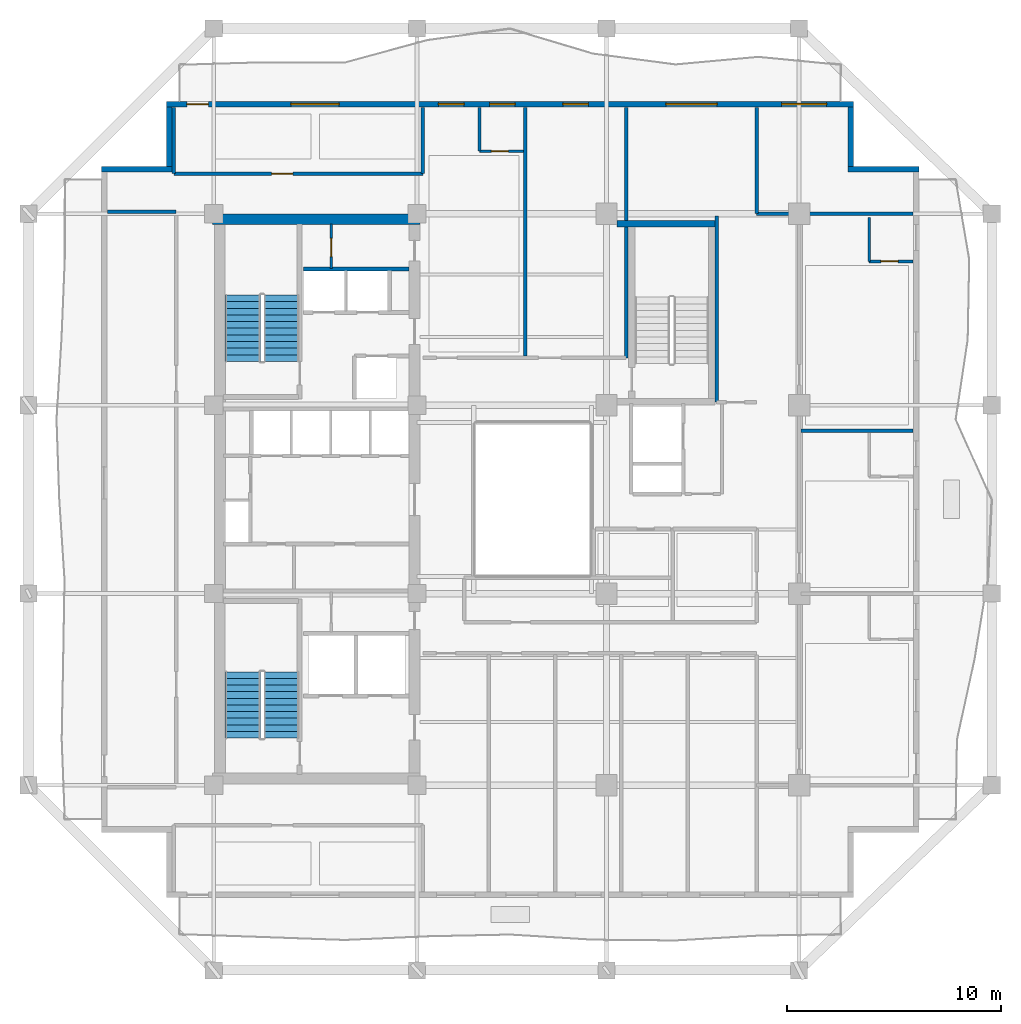
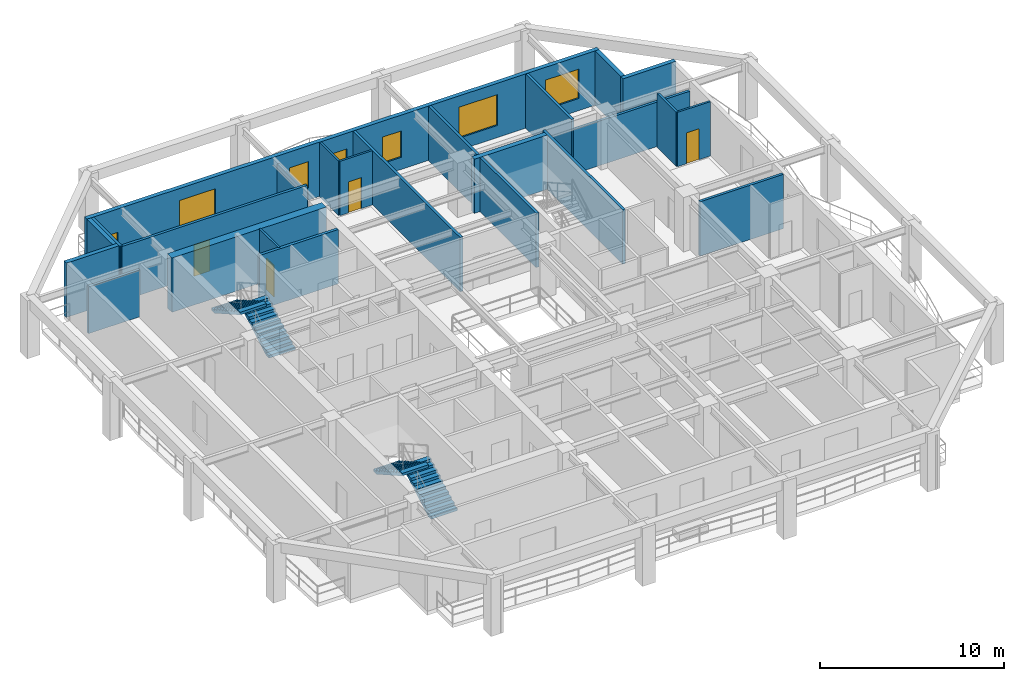
# One storey, part 6 of 11: 23 walls, 6 windows, 5 doors, 4 stair flights, 11 openings, 2 elements without a shape of their own.
"""IFC4 building model written with IfcOpenShell, lengths in metres."""

from ifc_helpers import new_model, si_unit, direction, frame, frame_2d, origin, place, context, subcontext, project, spatial, polyline, rectangle, outline, extrude, material, layer, layer_set, type_object, element, fill, aggregate, save


model = new_model("IFC4")

# Units and contexts
model_context = context("Model", 3, precision=1e-05, world=origin(), true_north=direction((0.0, 1.0)))
body_context = subcontext(model_context, "Body", "Model", "MODEL_VIEW")
ifc_project = project(units=[si_unit("LENGTHUNIT", "METRE"), si_unit("AREAUNIT", "SQUARE_METRE"), si_unit("VOLUMEUNIT", "CUBIC_METRE"), si_unit("PLANEANGLEUNIT", "RADIAN"), si_unit("MASSUNIT", "GRAM", prefix="KILO")], contexts=[model_context])

# Site, building, storey
site_placement = place(None, origin())
site = spatial("IfcSite", under=ifc_project, at=site_placement, CompositionType="ELEMENT")
building_placement = place(site_placement, origin())
building = spatial("IfcBuilding", under=site, at=building_placement, Name="Kundavana Baori Tower", CompositionType="ELEMENT")
storey_placement = place(building_placement, frame((0.0, 0.0, 146.35009765625)))
storey = spatial("IfcBuildingStorey", under=building, at=storey_placement, Name="L35", CompositionType="ELEMENT", Elevation=146.35009765625)

# Walls
ifc_material_1 = material(Name="Concrete C50/60", Category="concrete")
ifc_layer_1 = layer(ifc_material_1, 0.5, Name="WL-CORE-500")
ifc_layer_set_1 = layer_set([ifc_layer_1], Name="Concrete C50/60")
wall_type_1 = type_object("IfcWallType", Name="WL-CORE-500", PredefinedType="SHEAR", material=ifc_layer_set_1)
wall_1_placement = place(storey_placement, frame((15.39990234375, 41.68994140625, 0.0), z_axis=(0.0, 0.0, 1.0), x_axis=(1.0, 0.0, 0.0)))
element("IfcWall", 1, at=wall_1_placement, inside=storey, type_object=wall_type_1, Name="L35 Offset Core North Shear Wall", PredefinedType="SHEAR", context=body_context, shape_type="SweptSolid", body=[
    extrude(rectangle(XDim=9.68017578125, YDim=0.5, at=frame_2d((4.840087890625, 0.0))), origin(), (0.0, 0.0, 1.0), 3.599853515625),
])
ifc_material_2 = material(Name="Kiln-Fired Terracotta Brick-Slip Masonry on Concrete C40/50", Category="masonry")
ifc_layer_2 = layer(ifc_material_2, 0.260009765625, Name="WL-EXT-BRK-260")
ifc_layer_set_2 = layer_set([ifc_layer_2], Name="Kiln-Fired Terracotta Brick-Slip Masonry on Concrete C40/50")
wall_type_2 = type_object("IfcWallType", Name="WL-EXT-BRK-260", PredefinedType="SOLIDWALL", material=ifc_layer_set_2)
wall_2_placement = place(storey_placement, frame((48.39990234375, 44.02001953125, 0.0), z_axis=(0.0, 0.0, 1.0), x_axis=(-1.0, 0.0, 0.0)))
element("IfcWall", 2, at=wall_2_placement, inside=storey, type_object=wall_type_2, Name="L35 Exterior Insulated Facade Wall 05", PredefinedType="SOLIDWALL", context=body_context, shape_type="SweptSolid", body=[
    extrude(rectangle(XDim=3.309814453125, YDim=0.260009765625, at=frame_2d((1.65478515625, 0.0))), origin(), (0.0, 0.0, 1.0), 3.599853515625),
])
wall_3_placement = place(storey_placement, frame((45.219970703125, 44.14990234375, 0.0), z_axis=(0.0, 0.0, 1.0), x_axis=(0.0, 1.0, 0.0)))
element("IfcWall", 3, at=wall_3_placement, inside=storey, type_object=wall_type_2, Name="L35 Exterior Insulated Facade Wall 06", PredefinedType="SOLIDWALL", context=body_context, shape_type="SweptSolid", body=[
    extrude(rectangle(XDim=2.7900390625, YDim=0.260009765625, at=frame_2d((1.39501953125, 0.0))), origin(), (0.0, 0.0, 1.0), 3.599853515625),
])

# Wall, openings, door, windows
wall_4_placement = place(storey_placement, frame((45.35009765625, 47.070068359375, 0.0), z_axis=(0.0, 0.0, 1.0), x_axis=(-1.0, 0.0, 0.0)))
wall_4 = element("IfcWall", 4, at=wall_4_placement, inside=storey, type_object=wall_type_2, Name="L35 Exterior Insulated Facade Wall 07", PredefinedType="SOLIDWALL", context=body_context, shape_type="SweptSolid", body=[
    extrude(rectangle(XDim=32.10009765625, YDim=0.260009765625, at=frame_2d((16.050048828125, 0.0))), origin(), (0.0, 0.0, 1.0), 3.599853515625),
])
opening_1_placement = place(wall_4_placement, frame((30.14990234375, 0.0, 0.0)))
opening_1 = element("IfcOpeningElement", 5, at=opening_1_placement, cuts=wall_4, Name="Opening BD-1", PredefinedType="OPENING", context=body_context, shape_type="SweptSolid", body=[
    extrude(rectangle(XDim=1.0, YDim=2.050048828125, at=frame_2d((0.5, 1.02490234375))), frame((0.0, 0.14013671875, 0.0), z_axis=(0.0, -1.0, 0.0), x_axis=(1.0, 0.0, 0.0)), (0.0, 0.0, 1.0), 0.280029296875),
])
opening_2_placement = place(wall_4_placement, frame((24.044921875, 0.0, 0.800048828125)))
opening_2 = element("IfcOpeningElement", 6, at=opening_2_placement, cuts=wall_4, Name="Opening W-10", PredefinedType="OPENING", context=body_context, shape_type="SweptSolid", body=[
    extrude(rectangle(XDim=2.25, YDim=2.0, at=frame_2d((1.125, 1.0))), frame((0.0, 0.14013671875, 0.0), z_axis=(0.0, -1.0, 0.0), x_axis=(1.0, 0.0, 0.0)), (0.0, 0.0, 1.0), 0.280029296875),
])
opening_3_placement = place(wall_4_placement, frame((18.205078125, 0.0, 0.800048828125)))
opening_3 = element("IfcOpeningElement", 7, at=opening_3_placement, cuts=wall_4, Name="Opening W-03", PredefinedType="OPENING", context=body_context, shape_type="SweptSolid", body=[
    extrude(rectangle(XDim=1.199951171875, YDim=1.75, at=frame_2d((0.60009765625, 0.875))), frame((0.0, 0.14013671875, 0.0), z_axis=(0.0, -1.0, 0.0), x_axis=(1.0, 0.0, 0.0)), (0.0, 0.0, 1.0), 0.280029296875),
])
opening_4_placement = place(wall_4_placement, frame((15.81494140625, 0.0, 0.800048828125)))
opening_4 = element("IfcOpeningElement", 8, at=opening_4_placement, cuts=wall_4, Name="Opening W-03", PredefinedType="OPENING", context=body_context, shape_type="SweptSolid", body=[
    extrude(rectangle(XDim=1.199951171875, YDim=1.75, at=frame_2d((0.60009765625, 0.875))), frame((0.0, 0.14013671875, 0.0), z_axis=(0.0, -1.0, 0.0), x_axis=(1.0, 0.0, 0.0)), (0.0, 0.0, 1.0), 0.280029296875),
])
opening_5_placement = place(wall_4_placement, frame((12.389892578125, 0.0, 0.800048828125)))
opening_5 = element("IfcOpeningElement", 9, at=opening_5_placement, cuts=wall_4, Name="Opening W-03", PredefinedType="OPENING", context=body_context, shape_type="SweptSolid", body=[
    extrude(rectangle(XDim=1.199951171875, YDim=1.75, at=frame_2d((0.60009765625, 0.875))), frame((0.0, 0.14013671875, 0.0), z_axis=(0.0, -1.0, 0.0), x_axis=(1.0, 0.0, 0.0)), (0.0, 0.0, 1.0), 0.280029296875),
])
opening_6_placement = place(wall_4_placement, frame((6.3798828125, 0.0, 0.800048828125)))
opening_6 = element("IfcOpeningElement", 10, at=opening_6_placement, cuts=wall_4, Name="Opening W-04", PredefinedType="OPENING", context=body_context, shape_type="SweptSolid", body=[
    extrude(rectangle(XDim=2.39990234375, YDim=2.050048828125, at=frame_2d((1.199951171875, 1.02490234375))), frame((0.0, 0.14013671875, 0.0), z_axis=(0.0, -1.0, 0.0), x_axis=(1.0, 0.0, 0.0)), (0.0, 0.0, 1.0), 0.280029296875),
])
opening_7_placement = place(wall_4_placement, frame((1.27001953125, 0.0, 0.800048828125)))
opening_7 = element("IfcOpeningElement", 11, at=opening_7_placement, cuts=wall_4, Name="Opening W-05", PredefinedType="OPENING", context=body_context, shape_type="SweptSolid", body=[
    extrude(rectangle(XDim=2.10009765625, YDim=1.949951171875, at=frame_2d((1.050048828125, 0.97509765625))), frame((0.0, 0.14013671875, 0.0), z_axis=(0.0, -1.0, 0.0), x_axis=(1.0, 0.0, 0.0)), (0.0, 0.0, 1.0), 0.280029296875),
])
ifc_material_3 = material(Name="Architectural Patinated Bronze Metalwork")
door_type_1 = type_object("IfcDoorType", Name="DR-EXT-LOG-1000", OperationType="NOTDEFINED", PredefinedType="DOOR", material=ifc_material_3)
door_1_placement = place(opening_1_placement, frame((1.0, 0.0, 0.0), z_axis=(0.0, 0.0, 1.0), x_axis=(-1.0, 0.0, 0.0)))
door_1 = element("IfcDoor", 12, at=door_1_placement, inside=storey, type_object=door_type_1, Name="L35 Loggia Balcony Access Door N", OperationType="SINGLE_SWING_LEFT", OverallHeight=2.050048828125, OverallWidth=1.0, PredefinedType="DOOR", context=body_context, shape_type="SweptSolid", body=[
    extrude(rectangle(XDim=1.0, YDim=2.050048828125, at=frame_2d((0.5, 1.02490234375))), frame((0.0, 0.02490234375, 0.0), z_axis=(0.0, -1.0, 0.0), x_axis=(1.0, 0.0, 0.0)), (0.0, 0.0, 1.0), 0.050048828125),
])
fill(opening_1, door_1)
ifc_material_4 = material(Name="Double-Glazed Solar-Control Low-E Insulated Glass", Category="glass")
window_type_1 = type_object("IfcWindowType", Name="WIN-LOG-1200x1750", PartitioningType="SINGLE_PANEL", PredefinedType="WINDOW", material=ifc_material_4)
window_1_placement = place(opening_3_placement, origin())
window_1 = element("IfcWindow", 13, at=window_1_placement, inside=storey, type_object=window_type_1, Name="L35 Recessed Loggia Window N-2", OverallHeight=1.75, OverallWidth=1.199951171875, PartitioningType="SINGLE_PANEL", PredefinedType="WINDOW", context=body_context, shape_type="SweptSolid", body=[
    extrude(rectangle(XDim=1.199951171875, YDim=1.75, at=frame_2d((0.60009765625, 0.875))), frame((0.0, 0.030029296875, 0.0), z_axis=(0.0, -1.0, 0.0), x_axis=(1.0, 0.0, 0.0)), (0.0, 0.0, 1.0), 0.06005859375),
])
fill(opening_3, window_1)
window_2_placement = place(opening_4_placement, origin())
window_2 = element("IfcWindow", 14, at=window_2_placement, inside=storey, type_object=window_type_1, Name="L35 Recessed Loggia Window N-3", OverallHeight=1.75, OverallWidth=1.199951171875, PartitioningType="SINGLE_PANEL", PredefinedType="WINDOW", context=body_context, shape_type="SweptSolid", body=[
    extrude(rectangle(XDim=1.199951171875, YDim=1.75, at=frame_2d((0.60009765625, 0.875))), frame((0.0, 0.030029296875, 0.0), z_axis=(0.0, -1.0, 0.0), x_axis=(1.0, 0.0, 0.0)), (0.0, 0.0, 1.0), 0.06005859375),
])
fill(opening_4, window_2)
window_3_placement = place(opening_5_placement, origin())
window_3 = element("IfcWindow", 15, at=window_3_placement, inside=storey, type_object=window_type_1, Name="L35 Recessed Loggia Window N-4", OverallHeight=1.75, OverallWidth=1.199951171875, PartitioningType="SINGLE_PANEL", PredefinedType="WINDOW", context=body_context, shape_type="SweptSolid", body=[
    extrude(rectangle(XDim=1.199951171875, YDim=1.75, at=frame_2d((0.60009765625, 0.875))), frame((0.0, 0.030029296875, 0.0), z_axis=(0.0, -1.0, 0.0), x_axis=(1.0, 0.0, 0.0)), (0.0, 0.0, 1.0), 0.06005859375),
])
fill(opening_5, window_3)
ifc_material_5 = material(Name="Double-Glazed Solar-Control Low-E Insulated Glass", Category="glass")
window_type_2 = type_object("IfcWindowType", Name="WIN-LOG-2100x1950", PartitioningType="SINGLE_PANEL", PredefinedType="WINDOW", material=ifc_material_5)
window_4_placement = place(opening_7_placement, origin())
window_4 = element("IfcWindow", 16, at=window_4_placement, inside=storey, type_object=window_type_2, Name="L35 Recessed Loggia Window N-6", OverallHeight=1.949951171875, OverallWidth=2.10009765625, PartitioningType="SINGLE_PANEL", PredefinedType="WINDOW", context=body_context, shape_type="SweptSolid", body=[
    extrude(rectangle(XDim=2.10009765625, YDim=1.949951171875, at=frame_2d((1.050048828125, 0.97509765625))), frame((0.0, 0.030029296875, 0.0), z_axis=(0.0, -1.0, 0.0), x_axis=(1.0, 0.0, 0.0)), (0.0, 0.0, 1.0), 0.06005859375),
])
fill(opening_7, window_4)
ifc_material_6 = material(Name="Double-Glazed Solar-Control Low-E Insulated Glass", Category="glass")
window_type_3 = type_object("IfcWindowType", Name="WIN-LOG-2250x2000", PartitioningType="SINGLE_PANEL", PredefinedType="WINDOW", material=ifc_material_6)
window_5_placement = place(opening_2_placement, origin())
window_5 = element("IfcWindow", 17, at=window_5_placement, inside=storey, type_object=window_type_3, Name="L35 Recessed Loggia Window N-1", OverallHeight=2.0, OverallWidth=2.25, PartitioningType="SINGLE_PANEL", PredefinedType="WINDOW", context=body_context, shape_type="SweptSolid", body=[
    extrude(rectangle(XDim=2.25, YDim=2.0, at=frame_2d((1.125, 1.0))), frame((0.0, 0.030029296875, 0.0), z_axis=(0.0, -1.0, 0.0), x_axis=(1.0, 0.0, 0.0)), (0.0, 0.0, 1.0), 0.06005859375),
])
fill(opening_2, window_5)
ifc_material_7 = material(Name="Double-Glazed Solar-Control Low-E Insulated Glass", Category="glass")
window_type_4 = type_object("IfcWindowType", Name="WIN-LOG-2400x2050", PartitioningType="SINGLE_PANEL", PredefinedType="WINDOW", material=ifc_material_7)
window_6_placement = place(opening_6_placement, origin())
window_6 = element("IfcWindow", 18, at=window_6_placement, inside=storey, type_object=window_type_4, Name="L35 Recessed Loggia Window N-5", OverallHeight=2.050048828125, OverallWidth=2.39990234375, PartitioningType="SINGLE_PANEL", PredefinedType="WINDOW", context=body_context, shape_type="SweptSolid", body=[
    extrude(rectangle(XDim=2.39990234375, YDim=2.050048828125, at=frame_2d((1.199951171875, 1.02490234375))), frame((0.0, 0.030029296875, 0.0), z_axis=(0.0, -1.0, 0.0), x_axis=(1.0, 0.0, 0.0)), (0.0, 0.0, 1.0), 0.06005859375),
])
fill(opening_6, window_6)

# Walls
wall_5_placement = place(storey_placement, frame((13.3798828125, 46.93994140625, 0.0), z_axis=(0.0, 0.0, 1.0), x_axis=(0.0, -1.0, 0.0)))
element("IfcWall", 19, at=wall_5_placement, inside=storey, type_object=wall_type_2, Name="L35 Exterior Insulated Facade Wall 08", PredefinedType="SOLIDWALL", context=body_context, shape_type="SweptSolid", body=[
    extrude(rectangle(XDim=2.7900390625, YDim=0.260009765625, at=frame_2d((1.39501953125, 0.0))), origin(), (0.0, 0.0, 1.0), 3.599853515625),
])
wall_6_placement = place(storey_placement, frame((13.510009765625, 44.02001953125, 0.0), z_axis=(0.0, 0.0, 1.0), x_axis=(-1.0, 0.0, 0.0)))
element("IfcWall", 20, at=wall_6_placement, inside=storey, type_object=wall_type_2, Name="L35 Exterior Insulated Facade Wall 09", PredefinedType="SOLIDWALL", context=body_context, shape_type="SweptSolid", body=[
    extrude(rectangle(XDim=3.31005859375, YDim=0.260009765625, at=frame_2d((1.655029296875, 0.0))), origin(), (0.0, 0.0, 1.0), 3.599853515625),
])

# Wall, opening, door
ifc_material_8 = material(Name="Acoustic Gypsum Plasterboard on Galvanised Steel Studs", Category="steel")
ifc_layer_3 = layer(ifc_material_8, 0.1201171875, Name="WL-PART-120")
ifc_layer_set_3 = layer_set([ifc_layer_3], Name="Acoustic Gypsum Plasterboard on Galvanised Steel Studs")
wall_type_3 = type_object("IfcWallType", Name="WL-PART-120", PredefinedType="PARTITIONING", material=ifc_layer_set_3)
wall_7_placement = place(storey_placement, frame((20.949951171875, 39.39990234375, 0.0), z_axis=(0.0, 0.0, 1.0), x_axis=(0.0, 1.0, 0.0)))
wall_7 = element("IfcWall", 21, at=wall_7_placement, inside=storey, type_object=wall_type_3, Name="WL-L35-CSRV-D2", PredefinedType="PARTITIONING", context=body_context, shape_type="SweptSolid", body=[
    extrude(rectangle(XDim=2.080078125, YDim=0.1201171875, at=frame_2d((1.0400390625, 0.0))), origin(), (0.0, 0.0, 1.0), 3.599853515625),
])
opening_8_placement = place(wall_7_placement, frame((0.550048828125, 0.0, 0.0)))
opening_8 = element("IfcOpeningElement", 22, at=opening_8_placement, cuts=wall_7, Name="Opening FD-085", PredefinedType="OPENING", context=body_context, shape_type="SweptSolid", body=[
    extrude(rectangle(XDim=0.85009765625, YDim=2.06005859375, at=frame_2d((0.425048828125, 1.030029296875))), frame((0.0, 0.070068359375, 0.0), z_axis=(0.0, -1.0, 0.0), x_axis=(1.0, 0.0, 0.0)), (0.0, 0.0, 1.0), 0.14013671875),
])
ifc_material_9 = material(Name="Galvanised Steel Fire-Rated Door Leaf", Category="steel")
door_type_2 = type_object("IfcDoorType", Name="DR-FD60-850", OperationType="NOTDEFINED", PredefinedType="DOOR", material=ifc_material_9)
door_2_placement = place(opening_8_placement, origin())
door_2 = element("IfcDoor", 23, at=door_2_placement, inside=storey, type_object=door_type_2, Name="DR-L35-CSRV1", OperationType="SINGLE_SWING_RIGHT", OverallHeight=2.06005859375, OverallWidth=0.85009765625, PredefinedType="DOOR", context=body_context, shape_type="SweptSolid", body=[
    extrude(rectangle(XDim=0.85009765625, YDim=2.06005859375, at=frame_2d((0.425048828125, 1.030029296875))), frame((0.0, 0.02490234375, 0.0), z_axis=(0.0, -1.0, 0.0), x_axis=(1.0, 0.0, 0.0)), (0.0, 0.0, 1.0), 0.050048828125),
])
fill(opening_8, door_2)

# Walls
ifc_material_10 = material(Name="Fire-Rated Gypsum Drywall on Galvanised Steel Studs", Category="steel")
ifc_layer_4 = layer(ifc_material_10, 0.1650390625, Name="WL-PART-165")
ifc_layer_set_4 = layer_set([ifc_layer_4], Name="Fire-Rated Gypsum Drywall on Galvanised Steel Studs")
wall_type_4 = type_object("IfcWallType", Name="WL-PART-165", PredefinedType="PARTITIONING", material=ifc_layer_set_4)
wall_8_placement = place(storey_placement, frame((40.820068359375, 41.949951171875, 0.0), z_axis=(0.0, 0.0, 1.0), x_axis=(1.0, 0.0, 0.0)))
element("IfcWall", 24, at=wall_8_placement, inside=storey, type_object=wall_type_4, Name="WL-L35-HEN", PredefinedType="PARTITIONING", context=body_context, shape_type="SweptSolid", body=[
    extrude(rectangle(XDim=7.300048828125, YDim=0.1650390625, at=frame_2d((3.64990234375, 0.0))), origin(), (0.0, 0.0, 1.0), 2.949951171875),
])
wall_9_placement = place(storey_placement, frame((10.47998046875, 42.0400390625, 0.0), z_axis=(0.0, 0.0, 1.0), x_axis=(1.0, 0.0, 0.0)))
element("IfcWall", 25, at=wall_9_placement, inside=storey, type_object=wall_type_4, Name="WL-L35-HWN", PredefinedType="PARTITIONING", context=body_context, shape_type="SweptSolid", body=[
    extrude(rectangle(XDim=3.219970703125, YDim=0.1650390625, at=frame_2d((1.60986328125, 0.0))), origin(), (0.0, 0.0, 1.0), 3.099853515625),
])

# Wall, opening, door
wall_10_placement = place(storey_placement, frame((13.590087890625, 43.820068359375, 0.0), z_axis=(0.0, 0.0, 1.0), x_axis=(1.0, 0.0, 0.0)))
wall_10 = element("IfcWall", 26, at=wall_10_placement, inside=storey, type_object=wall_type_4, Name="WL-L35-HNC", PredefinedType="PARTITIONING", context=body_context, shape_type="SweptSolid", body=[
    extrude(rectangle(XDim=11.6298828125, YDim=0.1650390625, at=frame_2d((5.81494140625, 0.0))), origin(), (0.0, 0.0, 1.0), 3.599853515625),
])
opening_9_placement = place(wall_10_placement, frame((4.56005859375, 0.0, 0.0)))
opening_9 = element("IfcOpeningElement", 27, at=opening_9_placement, cuts=wall_10, Name="Opening ID-100", PredefinedType="OPENING", context=body_context, shape_type="SweptSolid", body=[
    extrude(rectangle(XDim=1.0, YDim=2.080078125, at=frame_2d((0.5, 1.0400390625))), frame((0.0, 0.092529296875, 0.0), z_axis=(0.0, -1.0, 0.0), x_axis=(1.0, 0.0, 0.0)), (0.0, 0.0, 1.0), 0.18505859375),
])
ifc_material_11 = material(Name="Engineered Teak Solid-Core Timber Veneer", Category="wood")
door_type_3 = type_object("IfcDoorType", Name="DR-INT-1000", OperationType="NOTDEFINED", PredefinedType="DOOR", material=ifc_material_11)
door_3_placement = place(opening_9_placement, origin())
door_3 = element("IfcDoor", 28, at=door_3_placement, inside=storey, type_object=door_type_3, Name="DR-L35-HMNW", OperationType="SINGLE_SWING_RIGHT", OverallHeight=2.080078125, OverallWidth=1.0, PredefinedType="DOOR", context=body_context, shape_type="SweptSolid", body=[
    extrude(rectangle(XDim=1.0, YDim=2.080078125, at=frame_2d((0.5, 1.0400390625))), frame((0.0, 0.02490234375, 0.0), z_axis=(0.0, -1.0, 0.0), x_axis=(1.0, 0.0, 0.0)), (0.0, 0.0, 1.0), 0.050048828125),
])
fill(opening_9, door_3)

# Walls
wall_11_placement = place(storey_placement, frame((13.590087890625, 43.820068359375, 0.0), z_axis=(0.0, 0.0, 1.0), x_axis=(0.0, 1.0, 0.0)))
element("IfcWall", 29, at=wall_11_placement, inside=storey, type_object=wall_type_4, Name="WL-L35-HNCW", PredefinedType="PARTITIONING", context=body_context, shape_type="SweptSolid", body=[
    extrude(rectangle(XDim=3.099853515625, YDim=0.1650390625, at=frame_2d((1.5498046875, 0.0))), origin(), (0.0, 0.0, 1.0), 3.599853515625),
])
wall_12_placement = place(storey_placement, frame((25.219970703125, 43.820068359375, 0.0), z_axis=(0.0, 0.0, 1.0), x_axis=(0.0, 1.0, 0.0)))
element("IfcWall", 30, at=wall_12_placement, inside=storey, type_object=wall_type_4, Name="WL-L35-HNCE", PredefinedType="PARTITIONING", context=body_context, shape_type="SweptSolid", body=[
    extrude(rectangle(XDim=3.099853515625, YDim=0.1650390625, at=frame_2d((1.5498046875, 0.0))), origin(), (0.0, 0.0, 1.0), 3.099853515625),
])
wall_13_placement = place(storey_placement, frame((42.8798828125, 31.800048828125, 0.0), z_axis=(0.0, 0.0, 1.0), x_axis=(1.0, 0.0, 0.0)))
element("IfcWall", 31, at=wall_13_placement, inside=storey, type_object=wall_type_4, Name="WL-L35-HED2", PredefinedType="PARTITIONING", context=body_context, shape_type="SweptSolid", body=[
    extrude(rectangle(XDim=5.240234375, YDim=0.1650390625, at=frame_2d((2.6201171875, 0.0))), origin(), (0.0, 0.0, 1.0), 3.599853515625),
])
wall_14_placement = place(storey_placement, frame((34.719970703125, 35.219970703125, 0.0), z_axis=(0.0, 0.0, 1.0), x_axis=(0.0, 1.0, 0.0)))
element("IfcWall", 32, at=wall_14_placement, inside=storey, type_object=wall_type_4, Name="WL-L35-HNEND", PredefinedType="PARTITIONING", context=body_context, shape_type="SweptSolid", body=[
    extrude(rectangle(XDim=11.699951171875, YDim=0.1650390625, at=frame_2d((5.85009765625, 0.0))), origin(), (0.0, 0.0, 1.0), 3.599853515625),
])
wall_15_placement = place(storey_placement, frame((30.0, 35.300048828125, 0.0), z_axis=(0.0, 0.0, 1.0), x_axis=(0.0, 1.0, 0.0)))
element("IfcWall", 33, at=wall_15_placement, inside=storey, type_object=wall_type_4, Name="WL-L35-HND1", PredefinedType="PARTITIONING", context=body_context, shape_type="SweptSolid", body=[
    extrude(rectangle(XDim=11.619873046875, YDim=0.1650390625, at=frame_2d((5.81005859375, 0.0))), origin(), (0.0, 0.0, 1.0), 3.599853515625),
])
wall_16_placement = place(storey_placement, frame((38.949951171875, 33.14990234375, 0.0), z_axis=(0.0, 0.0, 1.0), x_axis=(0.0, 1.0, 0.0)))
element("IfcWall", 34, at=wall_16_placement, inside=storey, type_object=wall_type_4, Name="WL-L35-HNEW", PredefinedType="PARTITIONING", context=body_context, shape_type="SweptSolid", body=[
    extrude(rectangle(XDim=8.7001953125, YDim=0.1650390625, at=frame_2d((4.35009765625, 0.0))), origin(), (0.0, 0.0, 1.0), 3.599853515625),
])
wall_17_placement = place(storey_placement, frame((40.820068359375, 41.949951171875, 0.0), z_axis=(0.0, 0.0, 1.0), x_axis=(0.0, 1.0, 0.0)))
element("IfcWall", 35, at=wall_17_placement, inside=storey, type_object=wall_type_4, Name="WL-L35-HNEE", PredefinedType="PARTITIONING", context=body_context, shape_type="SweptSolid", body=[
    extrude(rectangle(XDim=4.969970703125, YDim=0.1650390625, at=frame_2d((2.48486328125, 0.0))), origin(), (0.0, 0.0, 1.0), 3.599853515625),
])
ifc_material_12 = material(Name="Autoclaved Aerated Concrete Blockwork Masonry", Category="masonry")
ifc_layer_5 = layer(ifc_material_12, 0.179931640625, Name="WL-SHAFT-180")
ifc_layer_set_5 = layer_set([ifc_layer_5], Name="Autoclaved Aerated Concrete Blockwork Masonry")
wall_type_5 = type_object("IfcWallType", Name="WL-SHAFT-180", PredefinedType="SOLIDWALL", material=ifc_layer_set_5)
wall_18_placement = place(storey_placement, frame((19.639892578125, 39.360107421875, 0.0), z_axis=(0.0, 0.0, 1.0), x_axis=(1.0, 0.0, 0.0)))
element("IfcWall", 36, at=wall_18_placement, inside=storey, type_object=wall_type_5, Name="WL-L35-HRLOB-TOP", PredefinedType="SOLIDWALL", context=body_context, shape_type="SweptSolid", body=[
    extrude(rectangle(XDim=4.940185546875, YDim=0.179931640625, at=frame_2d((2.47021484375, 0.0))), origin(), (0.0, 0.0, 1.0), 3.599853515625),
])
ifc_material_13 = material(Name="Concrete C50/60", Category="concrete")
ifc_layer_6 = layer(ifc_material_13, 0.300048828125, Name="WL-ST3-300")
ifc_layer_set_6 = layer_set([ifc_layer_6], Name="Concrete C50/60")
wall_type_6 = type_object("IfcWallType", Name="WL-ST3-300", PredefinedType="SHEAR", material=ifc_layer_set_6)
wall_19_placement = place(storey_placement, frame((34.300048828125, 41.489990234375, 0.0), z_axis=(0.0, 0.0, 1.0), x_axis=(1.0, 0.0, 0.0)))
element("IfcWall", 37, at=wall_19_placement, inside=storey, type_object=wall_type_6, Name="L35 Stair ST3 North Shear Wall", PredefinedType="SHEAR", context=body_context, shape_type="SweptSolid", body=[
    extrude(rectangle(XDim=4.570068359375, YDim=0.300048828125, at=frame_2d((2.28515625, 0.0))), origin(), (0.0, 0.0, 1.0), 3.599853515625),
])
ifc_material_14 = material(Name="Autoclaved Aerated Concrete Blockwork Masonry", Category="masonry")
ifc_layer_7 = layer(ifc_material_14, 0.125, Name="WL-WET-120")
ifc_layer_set_7 = layer_set([ifc_layer_7], Name="Autoclaved Aerated Concrete Blockwork Masonry")
wall_type_7 = type_object("IfcWallType", Name="WL-WET-120", PredefinedType="PLUMBINGWALL", material=ifc_layer_set_7)
wall_20_placement = place(storey_placement, frame((46.070068359375, 39.719970703125, 0.0), z_axis=(0.0, 0.0, 1.0), x_axis=(0.0, 1.0, 0.0)))
element("IfcWall", 38, at=wall_20_placement, inside=storey, type_object=wall_type_7, Name="WL-L35-HK-E3-BW", PredefinedType="PLUMBINGWALL", context=body_context, shape_type="SweptSolid", body=[
    extrude(rectangle(XDim=2.050048828125, YDim=0.125, at=frame_2d((1.02490234375, 0.0))), origin(), (0.0, 0.0, 1.0), 3.599853515625),
])

# Wall, opening, door
wall_21_placement = place(storey_placement, frame((46.070068359375, 39.719970703125, 0.0), z_axis=(0.0, 0.0, 1.0), x_axis=(1.0, 0.0, 0.0)))
wall_21 = element("IfcWall", 39, at=wall_21_placement, inside=storey, type_object=wall_type_7, Name="WL-L35-HK-E3-BS", PredefinedType="PLUMBINGWALL", context=body_context, shape_type="SweptSolid", body=[
    extrude(rectangle(XDim=2.050048828125, YDim=0.125, at=frame_2d((1.02490234375, 0.0))), origin(), (0.0, 0.0, 1.0), 3.599853515625),
])
opening_10_placement = place(wall_21_placement, frame((0.550048828125, 0.0, 0.0)))
opening_10 = element("IfcOpeningElement", 40, at=opening_10_placement, cuts=wall_21, Name="Opening WD-080", PredefinedType="OPENING", context=body_context, shape_type="SweptSolid", body=[
    extrude(rectangle(XDim=0.800048828125, YDim=2.050048828125, at=frame_2d((0.39990234375, 1.02490234375))), frame((0.0, 0.072509765625, 0.0), z_axis=(0.0, -1.0, 0.0), x_axis=(1.0, 0.0, 0.0)), (0.0, 0.0, 1.0), 0.14501953125),
])
ifc_material_15 = material(Name="Engineered Teak Solid-Core Timber Veneer", Category="wood")
door_type_4 = type_object("IfcDoorType", Name="DR-WET-800", OperationType="NOTDEFINED", PredefinedType="DOOR", material=ifc_material_15)
door_4_placement = place(opening_10_placement, frame((0.800048828125, 0.0, 0.0), z_axis=(0.0, 0.0, 1.0), x_axis=(-1.0, 0.0, 0.0)))
door_4 = element("IfcDoor", 41, at=door_4_placement, inside=storey, type_object=door_type_4, Name="DR-L35-HK-E3-ENS", OperationType="SINGLE_SWING_LEFT", OverallHeight=2.050048828125, OverallWidth=0.800048828125, PredefinedType="DOOR", context=body_context, shape_type="SweptSolid", body=[
    extrude(rectangle(XDim=0.800048828125, YDim=2.050048828125, at=frame_2d((0.39990234375, 1.02490234375))), frame((0.0, 0.02490234375, 0.0), z_axis=(0.0, -1.0, 0.0), x_axis=(1.0, 0.0, 0.0)), (0.0, 0.0, 1.0), 0.050048828125),
])
fill(opening_10, door_4)

# Wall
wall_22_placement = place(storey_placement, frame((27.8701171875, 44.8701171875, 0.0), z_axis=(0.0, 0.0, 1.0), x_axis=(0.0, 1.0, 0.0)))
element("IfcWall", 42, at=wall_22_placement, inside=storey, type_object=wall_type_7, Name="WL-L35-HK-N1-BW", PredefinedType="PLUMBINGWALL", context=body_context, shape_type="SweptSolid", body=[
    extrude(rectangle(XDim=2.0498046875, YDim=0.125, at=frame_2d((1.02490234375, 0.0))), origin(), (0.0, 0.0, 1.0), 3.599853515625),
])

# Wall, opening, door
wall_23_placement = place(storey_placement, frame((27.8701171875, 44.8701171875, 0.0), z_axis=(0.0, 0.0, 1.0), x_axis=(1.0, 0.0, 0.0)))
wall_23 = element("IfcWall", 43, at=wall_23_placement, inside=storey, type_object=wall_type_7, Name="WL-L35-HK-N1-BS", PredefinedType="PLUMBINGWALL", context=body_context, shape_type="SweptSolid", body=[
    extrude(rectangle(XDim=2.0498046875, YDim=0.125, at=frame_2d((1.02490234375, 0.0))), origin(), (0.0, 0.0, 1.0), 3.599853515625),
])
opening_11_placement = place(wall_23_placement, frame((0.550048828125, 0.0, 0.0)))
opening_11 = element("IfcOpeningElement", 44, at=opening_11_placement, cuts=wall_23, Name="Opening WD-080", PredefinedType="OPENING", context=body_context, shape_type="SweptSolid", body=[
    extrude(rectangle(XDim=0.800048828125, YDim=2.050048828125, at=frame_2d((0.39990234375, 1.02490234375))), frame((0.0, 0.072509765625, 0.0), z_axis=(0.0, -1.0, 0.0), x_axis=(1.0, 0.0, 0.0)), (0.0, 0.0, 1.0), 0.14501953125),
])
door_5_placement = place(opening_11_placement, frame((0.800048828125, 0.0, 0.0), z_axis=(0.0, 0.0, 1.0), x_axis=(-1.0, 0.0, 0.0)))
door_5 = element("IfcDoor", 45, at=door_5_placement, inside=storey, type_object=door_type_4, Name="DR-L35-HK-N1-ENS", OperationType="SINGLE_SWING_LEFT", OverallHeight=2.050048828125, OverallWidth=0.800048828125, PredefinedType="DOOR", context=body_context, shape_type="SweptSolid", body=[
    extrude(rectangle(XDim=0.800048828125, YDim=2.050048828125, at=frame_2d((0.39990234375, 1.02490234375))), frame((0.0, 0.02490234375, 0.0), z_axis=(0.0, -1.0, 0.0), x_axis=(1.0, 0.0, 0.0)), (0.0, 0.0, 1.0), 0.050048828125),
])
fill(opening_11, door_5)

# Stair, stair flights
ifc_material_16 = material(Name="Concrete C40/50", Category="concrete")
stair_type = type_object("IfcStairType", Name="STR-DOG-1650", PredefinedType="HALF_TURN_STAIR", material=ifc_material_16)
stair_1_placement = place(storey_placement, origin())
stair_1 = element("IfcStair", 46, at=stair_1_placement, inside=storey, type_object=stair_type, Name="L35 Protected Exit Stair ST1", PredefinedType="HALF_TURN_STAIR")
ifc_material_17 = material(Name="Concrete C40/50", Category="concrete")
stair_flight_type = type_object("IfcStairFlightType", Name="SFL-RC-1650", PredefinedType="STRAIGHT", material=ifc_material_17)
stair_flight_1_placement = place(storey_placement, frame((18.614990234375, 17.449951171875, 0.0), z_axis=(0.0, 0.0, 1.0), x_axis=(0.0, 1.0, 0.0)))
stair_flight_1 = element("IfcStairFlight", 47, at=stair_flight_1_placement, type_object=stair_flight_type, Name="ST1 flight 1", NumberOfRisers=11, NumberOfTreads=10, PredefinedType="STRAIGHT", RiserHeight=0.175, TreadLength=0.31, context=body_context, shape_type="SweptSolid", body=[
    extrude(outline(polyline([(0.0, 0.0), (0.0, 0.175048828125), (0.31005859375, 0.175048828125), (0.31005859375, 0.35009765625), (0.6201171875, 0.35009765625), (0.6201171875, 0.52490234375), (0.929931640625, 0.52490234375), (0.929931640625, 0.699951171875), (1.239990234375, 0.699951171875), (1.239990234375, 0.875), (1.550048828125, 0.875), (1.550048828125, 1.050048828125), (1.860107421875, 1.050048828125), (1.860107421875, 1.22509765625), (2.169921875, 1.22509765625), (2.169921875, 1.39990234375), (2.47998046875, 1.39990234375), (2.47998046875, 1.574951171875), (2.7900390625, 1.574951171875), (2.7900390625, 1.75), (3.10009765625, 1.75), (3.10009765625, 1.925048828125), (3.10009765625, 1.577880859375), (0.304931640625, 0.0), (0.0, 0.0)])), frame((0.0, 0.824951171875, 0.0), z_axis=(0.0, -1.0, 0.0), x_axis=(1.0, 0.0, 0.0)), (0.0, 0.0, 1.0), 1.64990234375),
])
stair_flight_2_placement = place(storey_placement, frame((16.804931640625, 20.550048828125, 1.9248046875), z_axis=(0.0, 0.0, 1.0), x_axis=(0.0, -1.0, 0.0)))
stair_flight_2 = element("IfcStairFlight", 48, at=stair_flight_2_placement, type_object=stair_flight_type, Name="ST1 flight 2", NumberOfRisers=11, NumberOfTreads=10, PredefinedType="STRAIGHT", RiserHeight=0.175, TreadLength=0.31, context=body_context, shape_type="SweptSolid", body=[
    extrude(outline(polyline([(0.0, 0.0), (0.0, 0.175048828125), (0.31005859375, 0.175048828125), (0.31005859375, 0.35009765625), (0.6201171875, 0.35009765625), (0.6201171875, 0.52490234375), (0.929931640625, 0.52490234375), (0.929931640625, 0.699951171875), (1.239990234375, 0.699951171875), (1.239990234375, 0.875), (1.550048828125, 0.875), (1.550048828125, 1.050048828125), (1.860107421875, 1.050048828125), (1.860107421875, 1.22509765625), (2.169921875, 1.22509765625), (2.169921875, 1.39990234375), (2.47998046875, 1.39990234375), (2.47998046875, 1.574951171875), (2.7900390625, 1.574951171875), (2.7900390625, 1.75), (3.10009765625, 1.75), (3.10009765625, 1.925048828125), (3.10009765625, 1.577880859375), (0.304931640625, 0.0), (0.0, 0.0)])), frame((0.0, 0.824951171875, 0.0), z_axis=(0.0, -1.0, 0.0), x_axis=(1.0, 0.0, 0.0)), (0.0, 0.0, 1.0), 1.64990234375),
])
aggregate(stair_1, [stair_flight_1, stair_flight_2])

stair_2_placement = place(storey_placement, origin())
stair_2 = element("IfcStair", 49, at=stair_2_placement, inside=storey, type_object=stair_type, Name="L35 Protected Exit Stair ST2", PredefinedType="HALF_TURN_STAIR")
stair_flight_3_placement = place(storey_placement, frame((18.614990234375, 35.050048828125, 0.0), z_axis=(0.0, 0.0, 1.0), x_axis=(0.0, 1.0, 0.0)))
stair_flight_3 = element("IfcStairFlight", 50, at=stair_flight_3_placement, type_object=stair_flight_type, Name="ST2 flight 1", NumberOfRisers=11, NumberOfTreads=10, PredefinedType="STRAIGHT", RiserHeight=0.175, TreadLength=0.31, context=body_context, shape_type="SweptSolid", body=[
    extrude(outline(polyline([(0.0, 0.0), (0.0, 0.175048828125), (0.31005859375, 0.175048828125), (0.31005859375, 0.35009765625), (0.6201171875, 0.35009765625), (0.6201171875, 0.52490234375), (0.929931640625, 0.52490234375), (0.929931640625, 0.699951171875), (1.239990234375, 0.699951171875), (1.239990234375, 0.875), (1.550048828125, 0.875), (1.550048828125, 1.050048828125), (1.860107421875, 1.050048828125), (1.860107421875, 1.22509765625), (2.169921875, 1.22509765625), (2.169921875, 1.39990234375), (2.47998046875, 1.39990234375), (2.47998046875, 1.574951171875), (2.7900390625, 1.574951171875), (2.7900390625, 1.75), (3.10009765625, 1.75), (3.10009765625, 1.925048828125), (3.10009765625, 1.577880859375), (0.304931640625, 0.0), (0.0, 0.0)])), frame((0.0, 0.824951171875, 0.0), z_axis=(0.0, -1.0, 0.0), x_axis=(1.0, 0.0, 0.0)), (0.0, 0.0, 1.0), 1.64990234375),
])
stair_flight_4_placement = place(storey_placement, frame((16.804931640625, 38.14990234375, 1.9248046875), z_axis=(0.0, 0.0, 1.0), x_axis=(0.0, -1.0, 0.0)))
stair_flight_4 = element("IfcStairFlight", 51, at=stair_flight_4_placement, type_object=stair_flight_type, Name="ST2 flight 2", NumberOfRisers=11, NumberOfTreads=10, PredefinedType="STRAIGHT", RiserHeight=0.175, TreadLength=0.31, context=body_context, shape_type="SweptSolid", body=[
    extrude(outline(polyline([(0.0, 0.0), (0.0, 0.175048828125), (0.31005859375, 0.175048828125), (0.31005859375, 0.35009765625), (0.6201171875, 0.35009765625), (0.6201171875, 0.52490234375), (0.929931640625, 0.52490234375), (0.929931640625, 0.699951171875), (1.239990234375, 0.699951171875), (1.239990234375, 0.875), (1.550048828125, 0.875), (1.550048828125, 1.050048828125), (1.860107421875, 1.050048828125), (1.860107421875, 1.22509765625), (2.169921875, 1.22509765625), (2.169921875, 1.39990234375), (2.47998046875, 1.39990234375), (2.47998046875, 1.574951171875), (2.7900390625, 1.574951171875), (2.7900390625, 1.75), (3.10009765625, 1.75), (3.10009765625, 1.925048828125), (3.10009765625, 1.577880859375), (0.304931640625, 0.0), (0.0, 0.0)])), frame((0.0, 0.824951171875, 0.0), z_axis=(0.0, -1.0, 0.0), x_axis=(1.0, 0.0, 0.0)), (0.0, 0.0, 1.0), 1.64990234375),
])
aggregate(stair_2, [stair_flight_3, stair_flight_4])

save(model, "model.ifc")
